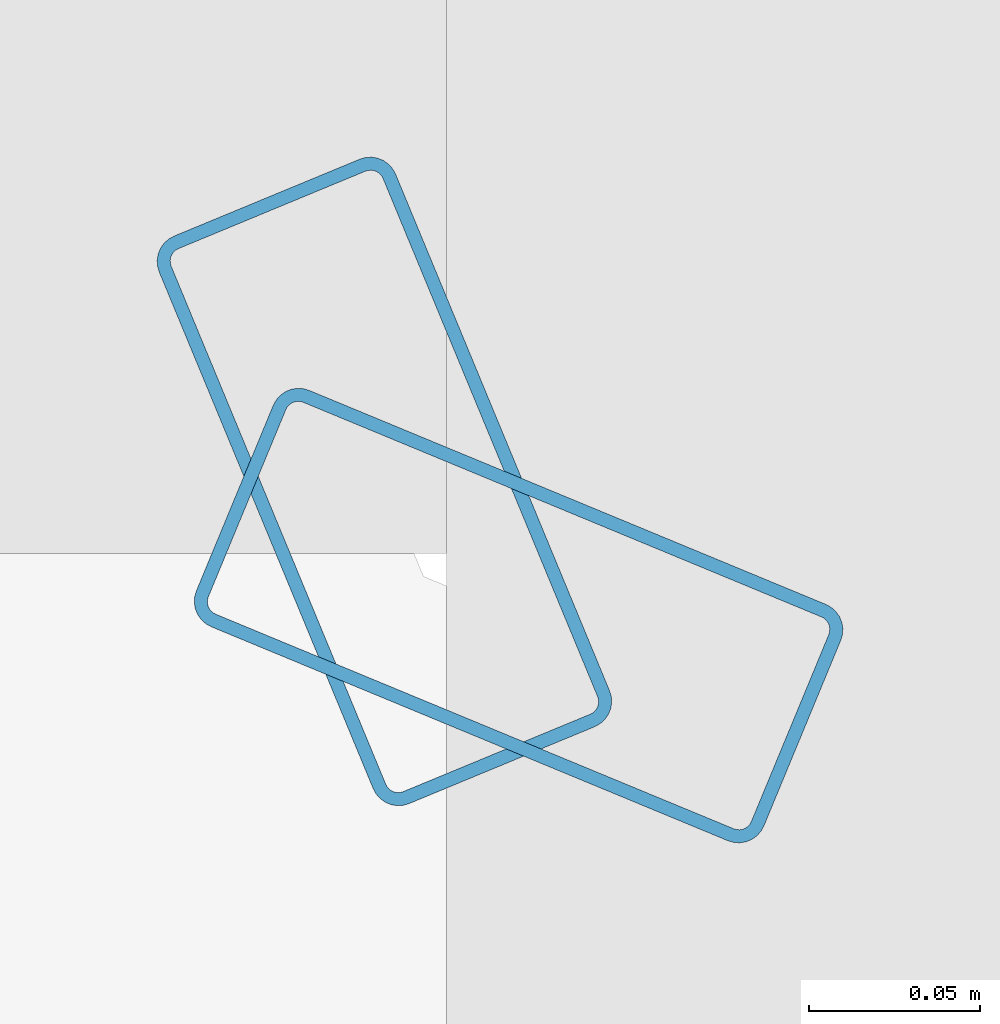
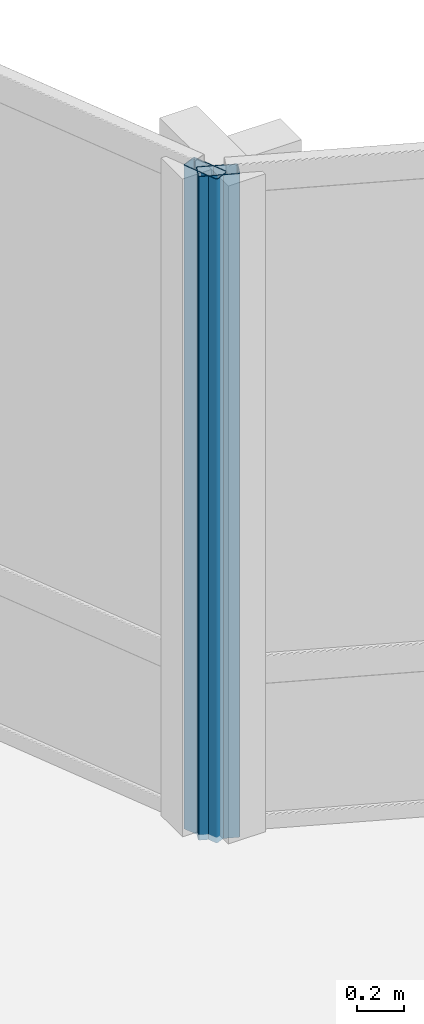
# One storey, part 8 of 34: 2 members, 2 elements without a shape of their own.
"""IFC4 building model written with IfcOpenShell, lengths in metres."""

from ifc_helpers import new_model, si_unit, direction, frame, origin, origin_2d, place, context, subcontext, project, spatial, hollow_rectangle, extrude, material, layer, layer_set, material_profile, profile_set, type_object, element, aggregate, save


model = new_model("IFC4")

# Units and contexts
model_context = context("Model", 3, precision=1e-05, world=origin(), true_north=direction((0.0, 1.0)))
body_context = subcontext(model_context, "Body", "Model", "MODEL_VIEW")
ifc_project = project(units=[si_unit("LENGTHUNIT", "METRE"), si_unit("AREAUNIT", "SQUARE_METRE"), si_unit("VOLUMEUNIT", "CUBIC_METRE"), si_unit("PLANEANGLEUNIT", "RADIAN"), si_unit("MASSUNIT", "GRAM", prefix="KILO")], contexts=[model_context])

# Site, building, storey
site_placement = place(None, origin())
site = spatial("IfcSite", under=ifc_project, at=site_placement, CompositionType="ELEMENT")
building_placement = place(site_placement, origin())
building = spatial("IfcBuilding", under=site, at=building_placement, Name="Solvaryn Broadcast Tower", CompositionType="ELEMENT")
storey_placement = place(building_placement, frame((0.0, 0.0, 36.0)))
storey = spatial("IfcBuildingStorey", under=building, at=storey_placement, Name="L07", CompositionType="ELEMENT", Elevation=36.0)

# Curtain wall, member
ifc_material_1 = material(Name="Aluminium and Terracotta Unitised Curtain Wall", Category="masonry")
ifc_layer = layer(ifc_material_1, 0.199951171875)
ifc_layer_set = layer_set([ifc_layer], Name="CW-SYS2-LOWMID")
curtain_wall_type = type_object("IfcCurtainWallType", Name="CW-SYS2-LOWMID", PredefinedType="NOTDEFINED", material=ifc_layer_set)
curtain_wall_1_placement = place(storey_placement, origin())
curtain_wall_1 = element("IfcCurtainWall", 1, at=curtain_wall_1_placement, inside=storey, type_object=curtain_wall_type, Name="L07 Curtain Wall CN1", PredefinedType="NOTDEFINED")
ifc_material_2 = material(Name="Anodised Aluminium 6063-T6", Category="aluminium")
ifc_material_profile = material_profile(ifc_material_2, hollow_rectangle(XDim=0.074951171875, YDim=0.179931640625, WallThickness=0.00390625, InnerFilletRadius=0.00390625, OuterFilletRadius=0.008056640625, at=origin_2d()))
ifc_profile_set = profile_set([ifc_material_profile], Name="Anodised Aluminium 6063-T6")
member_type = type_object("IfcMemberType", Name="CW-MUL-180", PredefinedType="MULLION", material=ifc_profile_set)
member_1_placement = place(storey_placement, frame((30.395751953125, 30.3564453125, 0.0), z_axis=(0.0, 0.0, 1.0), x_axis=(-0.382646127145, -0.923894983957, 0.0)))
member_1 = element("IfcMember", 2, at=member_1_placement, type_object=member_type, Name="CWS2 mullion 2", PredefinedType="MULLION", context=body_context, shape_type="SweptSolid", body=[
    extrude(hollow_rectangle(XDim=0.074951171875, YDim=0.179931640625, WallThickness=0.00390625, InnerFilletRadius=0.00390625, OuterFilletRadius=0.008056640625, at=origin_2d()), origin(), (0.0, 0.0, 1.0), 3.419921875),
])
aggregate(curtain_wall_1, [member_1])

curtain_wall_2_placement = place(storey_placement, origin())
curtain_wall_2 = element("IfcCurtainWall", 3, at=curtain_wall_2_placement, inside=storey, type_object=curtain_wall_type, Name="L07 Curtain Wall CN2", PredefinedType="NOTDEFINED")
member_2_placement = place(storey_placement, frame((30.3564453125, 30.395751953125, 0.0), z_axis=(0.0, 0.0, 1.0), x_axis=(-0.923894983957, -0.382646127145, 0.0)))
member_2 = element("IfcMember", 4, at=member_2_placement, type_object=member_type, Name="CWS2 mullion 1", PredefinedType="MULLION", context=body_context, shape_type="SweptSolid", body=[
    extrude(hollow_rectangle(XDim=0.074951171875, YDim=0.179931640625, WallThickness=0.00390625, InnerFilletRadius=0.00390625, OuterFilletRadius=0.008056640625, at=origin_2d()), origin(), (0.0, 0.0, 1.0), 3.419921875),
])
aggregate(curtain_wall_2, [member_2])

save(model, "model.ifc")
